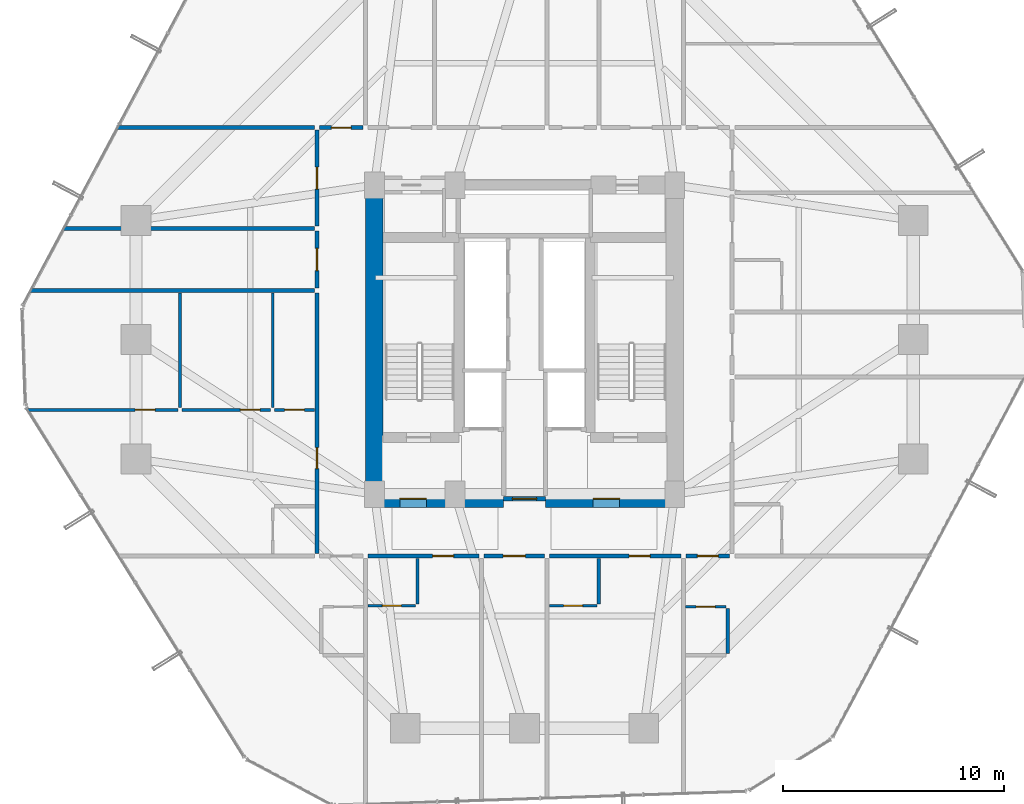
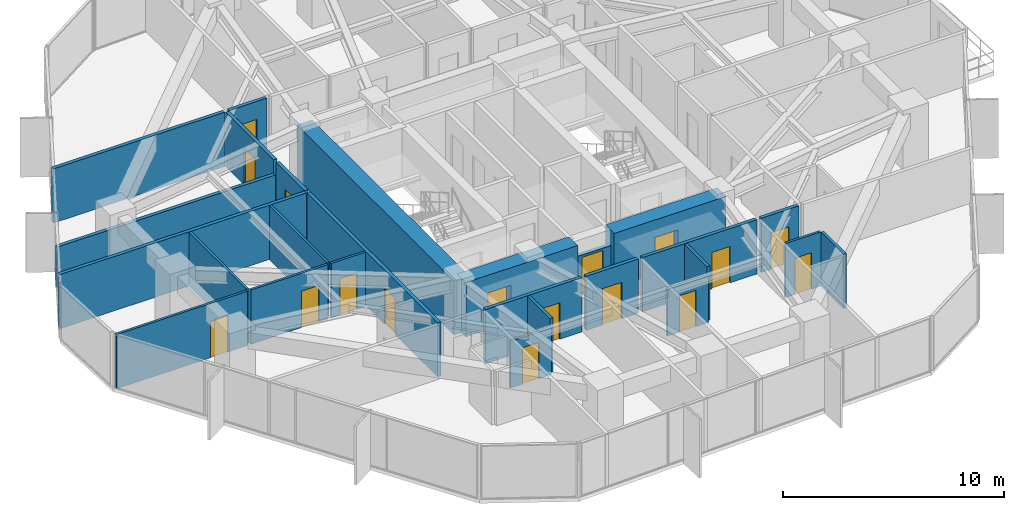
# One storey, part 35 of 39: 26 walls, 17 doors, 17 openings.
"""IFC4 building model written with IfcOpenShell, lengths in metres."""

from ifc_helpers import new_model, si_unit, direction, frame, frame_2d, origin, place, context, subcontext, project, spatial, rectangle, extrude, source, transform, mapped, material, layer, layer_set, type_object, element, fill, save


model = new_model("IFC4")

# Units and contexts
model_context = context("Model", 3, precision=1e-05, world=origin(), true_north=direction((0.0, 1.0)))
body_context = subcontext(model_context, "Body", "Model", "MODEL_VIEW")
ifc_project = project(units=[si_unit("LENGTHUNIT", "METRE"), si_unit("AREAUNIT", "SQUARE_METRE"), si_unit("VOLUMEUNIT", "CUBIC_METRE"), si_unit("PLANEANGLEUNIT", "RADIAN"), si_unit("MASSUNIT", "GRAM", prefix="KILO")], contexts=[model_context])

# Site, building, storey
site_placement = place(None, origin())
site = spatial("IfcSite", under=ifc_project, at=site_placement, CompositionType="ELEMENT")
building_placement = place(site_placement, origin())
building = spatial("IfcBuilding", under=site, at=building_placement, Name="Veraguas Prism Commons", CompositionType="ELEMENT")
storey_placement = place(building_placement, frame((0.0, 0.0, 30.550048828125)))
storey = spatial("IfcBuildingStorey", under=building, at=storey_placement, Name="L07", CompositionType="ELEMENT", Elevation=30.550048828125)

# Wall
ifc_material_1 = material(Name="Concrete C60/75", Category="concrete")
ifc_layer_1 = layer(ifc_material_1, 0.800048828125, Name="Core Outer Shear Wall Lower RC 800", Category="concrete")
ifc_layer_set_1 = layer_set([ifc_layer_1], Name="Concrete C60/75")
wall_type_1 = type_object("IfcWallType", Name="Core Outer Shear Wall Lower RC 800", PredefinedType="SHEAR", material=ifc_layer_set_1)
wall_1_placement = place(storey_placement, frame((17.199951171875, 16.800048828125, 0.0), z_axis=(0.0, 0.0, 1.0), x_axis=(0.0, 1.0, 0.0)))
element("IfcWall", 1, at=wall_1_placement, inside=storey, type_object=wall_type_1, Name="Central Core West Shear Wall L07", PredefinedType="SHEAR", context=body_context, shape_type="SweptSolid", body=[
    extrude(rectangle(XDim=14.199951171875, YDim=0.800048828125, at=frame_2d((7.10009765625, 0.0))), origin(), (0.0, 0.0, 1.0), 3.0),
])

# Wall, opening, door
wall_2_placement = place(storey_placement, frame((17.199951171875, 16.800048828125, 0.0), z_axis=(0.0, 0.0, 1.0), x_axis=(1.0, 0.0, 0.0)))
wall_2 = element("IfcWall", 2, at=wall_2_placement, inside=storey, type_object=wall_type_1, Name="Central Core South-West Shear Wall L07", PredefinedType="SHEAR", context=body_context, shape_type="SweptSolid", body=[
    extrude(rectangle(XDim=5.85009765625, YDim=0.800048828125, at=frame_2d((2.925048828125, 0.0))), origin(), (0.0, 0.0, 1.0), 3.0),
])
opening_1_placement = place(wall_2_placement, frame((1.14990234375, 0.0, 0.0)))
opening_1 = element("IfcOpeningElement", 3, at=opening_1_placement, cuts=wall_2, Name="Opening DR-06", PredefinedType="OPENING", context=body_context, shape_type="SweptSolid", body=[
    extrude(rectangle(XDim=1.199951171875, YDim=2.030029296875, at=frame_2d((0.60009765625, 1.01513671875))), frame((0.0, 0.409912109375, 0.0), z_axis=(0.0, -1.0, 0.0), x_axis=(1.0, 0.0, 0.0)), (0.0, 0.0, 1.0), 0.820068359375),
])
ifc_material_2 = material(Name="Steel fire-rated door assembly", Category="steel")
door_type_1 = type_object("IfcDoorType", Name="Firefighting Lobby Smoke Door 1200x2030", OperationType="NOTDEFINED", PredefinedType="DOOR", material=ifc_material_2)
shared_shape_1 = source(origin(), body_context, "Body", "SweptSolid", [
    extrude(rectangle(XDim=1.199951171875, YDim=2.030029296875, at=frame_2d((0.60009765625, 1.01513671875))), frame((0.0, 0.02490234375, 0.0), z_axis=(0.0, -1.0, 0.0), x_axis=(1.0, 0.0, 0.0)), (0.0, 0.0, 1.0), 0.050048828125),
])
door_1_placement = place(opening_1_placement, origin())
door_1 = element("IfcDoor", 4, at=door_1_placement, inside=storey, type_object=door_type_1, Name="West FF Lobby Door L07", OperationType="SINGLE_SWING_RIGHT", OverallHeight=2.030029296875, OverallWidth=1.199951171875, PredefinedType="DOOR", context=body_context, shape_type="MappedRepresentation", body=[
    mapped(shared_shape_1, transform((0.0, 0.0, 0.0), scale=1.0)),
])
fill(opening_1, door_1)

wall_3_placement = place(storey_placement, frame((24.949951171875, 16.800048828125, 0.0), z_axis=(0.0, 0.0, 1.0), x_axis=(1.0, 0.0, 0.0)))
wall_3 = element("IfcWall", 5, at=wall_3_placement, inside=storey, type_object=wall_type_1, Name="Central Core South-East Shear Wall L07", PredefinedType="SHEAR", context=body_context, shape_type="SweptSolid", body=[
    extrude(rectangle(XDim=5.85009765625, YDim=0.800048828125, at=frame_2d((2.925048828125, 0.0))), origin(), (0.0, 0.0, 1.0), 3.0),
])
opening_2_placement = place(wall_3_placement, frame((2.14990234375, 0.0, 0.0)))
opening_2 = element("IfcOpeningElement", 6, at=opening_2_placement, cuts=wall_3, Name="Opening DR-06", PredefinedType="OPENING", context=body_context, shape_type="SweptSolid", body=[
    extrude(rectangle(XDim=1.199951171875, YDim=2.030029296875, at=frame_2d((0.60009765625, 1.01513671875))), frame((0.0, 0.409912109375, 0.0), z_axis=(0.0, -1.0, 0.0), x_axis=(1.0, 0.0, 0.0)), (0.0, 0.0, 1.0), 0.820068359375),
])
door_2_placement = place(opening_2_placement, origin())
door_2 = element("IfcDoor", 7, at=door_2_placement, inside=storey, type_object=door_type_1, Name="East FF Lobby Door L07", OperationType="SINGLE_SWING_RIGHT", OverallHeight=2.030029296875, OverallWidth=1.199951171875, PredefinedType="DOOR", context=body_context, shape_type="MappedRepresentation", body=[
    mapped(shared_shape_1, transform((0.0, 0.0, 0.0), scale=1.0)),
])
fill(opening_2, door_2)

ifc_material_3 = material(Name="Autoclaved aerated masonry block 10 MPa", Category="masonry")
ifc_layer_2 = layer(ifc_material_3, 0.179931640625, Name="Corridor and Inter-Tenancy Partition 180", Category="masonry")
ifc_layer_set_2 = layer_set([ifc_layer_2], Name="Autoclaved aerated masonry block 10 MPa")
wall_type_2 = type_object("IfcWallType", Name="Corridor and Inter-Tenancy Partition 180", PredefinedType="PARTITIONING", material=ifc_layer_set_2)
wall_4_placement = place(storey_placement, frame((22.16796875, 14.199951171875, 0.0), z_axis=(0.0, 0.0, 1.0), x_axis=(1.0, 0.0, 0.0)))
wall_4 = element("IfcWall", 8, at=wall_4_placement, inside=storey, type_object=wall_type_2, Name="WL-L07-PT003", PredefinedType="PARTITIONING", context=body_context, shape_type="SweptSolid", body=[
    extrude(rectangle(XDim=2.72998046875, YDim=0.179931640625, at=frame_2d((1.364990234375, 0.0))), origin(), (0.0, 0.0, 1.0), 3.0),
])
opening_3_placement = place(wall_4_placement, frame((0.864990234375, 0.0, 0.0)))
opening_3 = element("IfcOpeningElement", 9, at=opening_3_placement, cuts=wall_4, Name="Opening DR-13", PredefinedType="OPENING", context=body_context, shape_type="SweptSolid", body=[
    extrude(rectangle(XDim=1.0, YDim=2.010009765625, at=frame_2d((0.5, 1.0048828125))), frame((0.0, 0.099853515625, 0.0), z_axis=(0.0, -1.0, 0.0), x_axis=(1.0, 0.0, 0.0)), (0.0, 0.0, 1.0), 0.199951171875),
])
door_type_2 = type_object("IfcDoorType", Name="Core Accessible WC and Clinic Fire Door 1000x2010", OperationType="NOTDEFINED", PredefinedType="DOOR", material=ifc_material_2)
shared_shape_2 = source(origin(), body_context, "Body", "SweptSolid", [
    extrude(rectangle(XDim=1.0, YDim=2.010009765625, at=frame_2d((0.5, 1.0048828125))), frame((0.0, 0.02490234375, 0.0), z_axis=(0.0, -1.0, 0.0), x_axis=(1.0, 0.0, 0.0)), (0.0, 0.0, 1.0), 0.050048828125),
])
door_3_placement = place(opening_3_placement, origin())
door_3 = element("IfcDoor", 10, at=door_3_placement, inside=storey, type_object=door_type_2, Name="Quiet Study S Door", OperationType="SINGLE_SWING_LEFT", OverallHeight=2.010009765625, OverallWidth=1.0, PredefinedType="DOOR", context=body_context, shape_type="MappedRepresentation", body=[
    mapped(shared_shape_2, transform((0.0, 0.0, 0.0), scale=1.0)),
])
fill(opening_3, door_3)

wall_5_placement = place(storey_placement, frame((16.909912109375, 14.199951171875, 0.0), z_axis=(0.0, 0.0, 1.0), x_axis=(1.0, 0.0, 0.0)))
wall_5 = element("IfcWall", 11, at=wall_5_placement, inside=storey, type_object=wall_type_2, Name="WL-L07-PT005", PredefinedType="PARTITIONING", context=body_context, shape_type="SweptSolid", body=[
    extrude(rectangle(XDim=5.0380859375, YDim=0.179931640625, at=frame_2d((2.51904296875, 0.0))), origin(), (0.0, 0.0, 1.0), 3.0),
])
opening_4_placement = place(wall_5_placement, frame((2.92919921875, 0.0, 0.0)))
opening_4 = element("IfcOpeningElement", 12, at=opening_4_placement, cuts=wall_5, Name="Opening DR-01", PredefinedType="OPENING", context=body_context, shape_type="SweptSolid", body=[
    extrude(rectangle(XDim=0.949951171875, YDim=2.02001953125, at=frame_2d((0.47509765625, 1.010009765625))), frame((0.0, 0.099853515625, 0.0), z_axis=(0.0, -1.0, 0.0), x_axis=(1.0, 0.0, 0.0)), (0.0, 0.0, 1.0), 0.199951171875),
])
ifc_material_4 = material(Name="Anodised aluminium EN AW-6063 T6", Category="aluminium")
door_type_3 = type_object("IfcDoorType", Name="Apartment Entrance Fire Door 950x2020", OperationType="NOTDEFINED", PredefinedType="DOOR", material=ifc_material_4)
shared_shape_3 = source(origin(), body_context, "Body", "SweptSolid", [
    extrude(rectangle(XDim=0.949951171875, YDim=2.02001953125, at=frame_2d((0.47509765625, 1.010009765625))), frame((0.0, 0.02490234375, 0.0), z_axis=(0.0, -1.0, 0.0), x_axis=(1.0, 0.0, 0.0)), (0.0, 0.0, 1.0), 0.050048828125),
])
door_4_placement = place(opening_4_placement, origin())
door_4 = element("IfcDoor", 13, at=door_4_placement, inside=storey, type_object=door_type_3, Name="Studio 07A Entrance Door", OperationType="SINGLE_SWING_RIGHT", OverallHeight=2.02001953125, OverallWidth=0.949951171875, PredefinedType="DOOR", context=body_context, shape_type="MappedRepresentation", body=[
    mapped(shared_shape_3, transform((0.0, 0.0, 0.0), scale=1.0)),
])
fill(opening_4, door_4)

wall_6_placement = place(storey_placement, frame((25.117919921875, 14.199951171875, 0.0), z_axis=(0.0, 0.0, 1.0), x_axis=(1.0, 0.0, 0.0)))
wall_6 = element("IfcWall", 14, at=wall_6_placement, inside=storey, type_object=wall_type_2, Name="WL-L07-PT009", PredefinedType="PARTITIONING", context=body_context, shape_type="SweptSolid", body=[
    extrude(rectangle(XDim=5.97216796875, YDim=0.179931640625, at=frame_2d((2.986083984375, 0.0))), origin(), (0.0, 0.0, 1.0), 3.0),
])
opening_5_placement = place(wall_6_placement, frame((3.620361328125, 0.0, 0.0)))
opening_5 = element("IfcOpeningElement", 15, at=opening_5_placement, cuts=wall_6, Name="Opening DR-01", PredefinedType="OPENING", context=body_context, shape_type="SweptSolid", body=[
    extrude(rectangle(XDim=0.949951171875, YDim=2.02001953125, at=frame_2d((0.47509765625, 1.010009765625))), frame((0.0, 0.099853515625, 0.0), z_axis=(0.0, -1.0, 0.0), x_axis=(1.0, 0.0, 0.0)), (0.0, 0.0, 1.0), 0.199951171875),
])
door_5_placement = place(opening_5_placement, origin())
door_5 = element("IfcDoor", 16, at=door_5_placement, inside=storey, type_object=door_type_3, Name="Studio 07B Entrance Door", OperationType="SINGLE_SWING_RIGHT", OverallHeight=2.02001953125, OverallWidth=0.949951171875, PredefinedType="DOOR", context=body_context, shape_type="MappedRepresentation", body=[
    mapped(shared_shape_3, transform((0.0, 0.0, 0.0), scale=1.0)),
])
fill(opening_5, door_5)

# Wall
wall_7_placement = place(storey_placement, frame((14.47998046875, 33.60009765625, 0.0), z_axis=(0.0, 0.0, 1.0), x_axis=(-1.0, 0.0, 0.0)))
element("IfcWall", 17, at=wall_7_placement, inside=storey, type_object=wall_type_2, Name="WL-L07-PT022", PredefinedType="PARTITIONING", context=body_context, shape_type="SweptSolid", body=[
    extrude(rectangle(XDim=8.94970703125, YDim=0.179931640625, at=frame_2d((4.474853515625, 0.0))), origin(), (0.0, 0.0, 1.0), 3.0),
])

# Wall, opening, door
wall_8_placement = place(storey_placement, frame((14.60009765625, 14.31005859375, 0.0), z_axis=(0.0, 0.0, 1.0), x_axis=(0.0, 1.0, 0.0)))
wall_8 = element("IfcWall", 18, at=wall_8_placement, inside=storey, type_object=wall_type_2, Name="WL-L07-PT023", PredefinedType="PARTITIONING", context=body_context, shape_type="SweptSolid", body=[
    extrude(rectangle(XDim=11.807861328125, YDim=0.179931640625, at=frame_2d((5.90380859375, 0.0))), origin(), (0.0, 0.0, 1.0), 3.0),
])
opening_6_placement = place(wall_8_placement, frame((3.847412109375, 0.0, 0.0)))
opening_6 = element("IfcOpeningElement", 19, at=opening_6_placement, cuts=wall_8, Name="Opening DR-01", PredefinedType="OPENING", context=body_context, shape_type="SweptSolid", body=[
    extrude(rectangle(XDim=0.949951171875, YDim=2.02001953125, at=frame_2d((0.47509765625, 1.010009765625))), frame((0.0, 0.099853515625, 0.0), z_axis=(0.0, -1.0, 0.0), x_axis=(1.0, 0.0, 0.0)), (0.0, 0.0, 1.0), 0.199951171875),
])
door_6_placement = place(opening_6_placement, origin())
door_6 = element("IfcDoor", 20, at=door_6_placement, inside=storey, type_object=door_type_3, Name="Flat 07C Entrance Door", OperationType="SINGLE_SWING_RIGHT", OverallHeight=2.02001953125, OverallWidth=0.949951171875, PredefinedType="DOOR", context=body_context, shape_type="MappedRepresentation", body=[
    mapped(shared_shape_3, transform((0.0, 0.0, 0.0), scale=1.0)),
])
fill(opening_6, door_6)

# Wall
wall_9_placement = place(storey_placement, frame((14.47998046875, 26.22802734375, 0.0), z_axis=(0.0, 0.0, 1.0), x_axis=(-1.0, 0.0, 0.0)))
element("IfcWall", 21, at=wall_9_placement, inside=storey, type_object=wall_type_2, Name="WL-L07-PT031", PredefinedType="PARTITIONING", context=body_context, shape_type="SweptSolid", body=[
    extrude(rectangle(XDim=12.8759765625, YDim=0.179931640625, at=frame_2d((6.43798828125, 0.0))), origin(), (0.0, 0.0, 1.0), 3.0),
])

# Wall, opening, door
wall_10_placement = place(storey_placement, frame((14.60009765625, 26.337890625, 0.0), z_axis=(0.0, 0.0, 1.0), x_axis=(0.0, 1.0, 0.0)))
wall_10 = element("IfcWall", 22, at=wall_10_placement, inside=storey, type_object=wall_type_2, Name="WL-L07-PT032", PredefinedType="PARTITIONING", context=body_context, shape_type="SweptSolid", body=[
    extrude(rectangle(XDim=2.5810546875, YDim=0.179931640625, at=frame_2d((1.29052734375, 0.0))), origin(), (0.0, 0.0, 1.0), 3.0),
])
opening_7_placement = place(wall_10_placement, frame((0.79052734375, 0.0, 0.0)))
opening_7 = element("IfcOpeningElement", 23, at=opening_7_placement, cuts=wall_10, Name="Opening DR-13", PredefinedType="OPENING", context=body_context, shape_type="SweptSolid", body=[
    extrude(rectangle(XDim=1.0, YDim=2.010009765625, at=frame_2d((0.5, 1.0048828125))), frame((0.0, 0.099853515625, 0.0), z_axis=(0.0, -1.0, 0.0), x_axis=(1.0, 0.0, 0.0)), (0.0, 0.0, 1.0), 0.199951171875),
])
door_7_placement = place(opening_7_placement, origin())
door_7 = element("IfcDoor", 24, at=door_7_placement, inside=storey, type_object=door_type_2, Name="Residents Study Room Door", OperationType="SINGLE_SWING_LEFT", OverallHeight=2.010009765625, OverallWidth=1.0, PredefinedType="DOOR", context=body_context, shape_type="MappedRepresentation", body=[
    mapped(shared_shape_2, transform((0.0, 0.0, 0.0), scale=1.0)),
])
fill(opening_7, door_7)

wall_11_placement = place(storey_placement, frame((14.60009765625, 29.138916015625, 0.0), z_axis=(0.0, 0.0, 1.0), x_axis=(0.0, 1.0, 0.0)))
wall_11 = element("IfcWall", 25, at=wall_11_placement, inside=storey, type_object=wall_type_2, Name="WL-L07-PT033", PredefinedType="PARTITIONING", context=body_context, shape_type="SweptSolid", body=[
    extrude(rectangle(XDim=4.35107421875, YDim=0.179931640625, at=frame_2d((2.175537109375, 0.0))), origin(), (0.0, 0.0, 1.0), 3.0),
])
opening_8_placement = place(wall_11_placement, frame((1.675537109375, 0.0, 0.0)))
opening_8 = element("IfcOpeningElement", 26, at=opening_8_placement, cuts=wall_11, Name="Opening DR-13", PredefinedType="OPENING", context=body_context, shape_type="SweptSolid", body=[
    extrude(rectangle(XDim=1.0, YDim=2.010009765625, at=frame_2d((0.5, 1.0048828125))), frame((0.0, 0.099853515625, 0.0), z_axis=(0.0, -1.0, 0.0), x_axis=(1.0, 0.0, 0.0)), (0.0, 0.0, 1.0), 0.199951171875),
])
door_8_placement = place(opening_8_placement, origin())
door_8 = element("IfcDoor", 27, at=door_8_placement, inside=storey, type_object=door_type_2, Name="Co-op Store W Door", OperationType="SINGLE_SWING_RIGHT", OverallHeight=2.010009765625, OverallWidth=1.0, PredefinedType="DOOR", context=body_context, shape_type="MappedRepresentation", body=[
    mapped(shared_shape_2, transform((0.0, 0.0, 0.0), scale=1.0)),
])
fill(opening_8, door_8)

# Wall
wall_12_placement = place(storey_placement, frame((14.47998046875, 29.029052734375, 0.0), z_axis=(0.0, 0.0, 1.0), x_axis=(-1.0, 0.0, 0.0)))
element("IfcWall", 28, at=wall_12_placement, inside=storey, type_object=wall_type_2, Name="WL-L07-PT034", PredefinedType="PARTITIONING", context=body_context, shape_type="SweptSolid", body=[
    extrude(rectangle(XDim=11.38427734375, YDim=0.179931640625, at=frame_2d((5.692138671875, 0.0))), origin(), (0.0, 0.0, 1.0), 2.299072265625),
])

# Wall, opening, door
wall_13_placement = place(storey_placement, frame((31.320068359375, 14.199951171875, 0.0), z_axis=(0.0, 0.0, 1.0), x_axis=(1.0, 0.0, 0.0)))
wall_13 = element("IfcWall", 29, at=wall_13_placement, inside=storey, type_object=wall_type_2, Name="WL-L07-PT052", PredefinedType="PARTITIONING", context=body_context, shape_type="SweptSolid", body=[
    extrude(rectangle(XDim=1.9599609375, YDim=0.179931640625, at=frame_2d((0.97998046875, 0.0))), origin(), (0.0, 0.0, 1.0), 3.0),
])
opening_9_placement = place(wall_13_placement, frame((0.5048828125, 0.0, 0.0)))
opening_9 = element("IfcOpeningElement", 30, at=opening_9_placement, cuts=wall_13, Name="Opening DR-01", PredefinedType="OPENING", context=body_context, shape_type="SweptSolid", body=[
    extrude(rectangle(XDim=0.949951171875, YDim=2.02001953125, at=frame_2d((0.47509765625, 1.010009765625))), frame((0.0, 0.099853515625, 0.0), z_axis=(0.0, -1.0, 0.0), x_axis=(1.0, 0.0, 0.0)), (0.0, 0.0, 1.0), 0.199951171875),
])
door_9_placement = place(opening_9_placement, origin())
door_9 = element("IfcDoor", 31, at=door_9_placement, inside=storey, type_object=door_type_3, Name="Studio 07G Entrance Door", OperationType="SINGLE_SWING_LEFT", OverallHeight=2.02001953125, OverallWidth=0.949951171875, PredefinedType="DOOR", context=body_context, shape_type="MappedRepresentation", body=[
    mapped(shared_shape_3, transform((0.0, 0.0, 0.0), scale=1.0)),
])
fill(opening_9, door_9)

wall_14_placement = place(storey_placement, frame((14.719970703125, 33.60009765625, 0.0), z_axis=(0.0, 0.0, 1.0), x_axis=(1.0, 0.0, 0.0)))
wall_14 = element("IfcWall", 32, at=wall_14_placement, inside=storey, type_object=wall_type_2, Name="WL-L07-PT056", PredefinedType="PARTITIONING", context=body_context, shape_type="SweptSolid", body=[
    extrude(rectangle(XDim=1.9599609375, YDim=0.179931640625, at=frame_2d((0.97998046875, 0.0))), origin(), (0.0, 0.0, 1.0), 3.0),
])
opening_10_placement = place(wall_14_placement, frame((0.530029296875, 0.0, 0.0)))
opening_10 = element("IfcOpeningElement", 33, at=opening_10_placement, cuts=wall_14, Name="Opening DR-14", PredefinedType="OPENING", context=body_context, shape_type="SweptSolid", body=[
    extrude(rectangle(XDim=0.89990234375, YDim=2.010009765625, at=frame_2d((0.449951171875, 1.0048828125))), frame((0.0, 0.099853515625, 0.0), z_axis=(0.0, -1.0, 0.0), x_axis=(1.0, 0.0, 0.0)), (0.0, 0.0, 1.0), 0.199951171875),
])
door_type_4 = type_object("IfcDoorType", Name="Core Service Room Fire Door 900x2010", OperationType="NOTDEFINED", PredefinedType="DOOR", material=ifc_material_2)
shared_shape_4 = source(origin(), body_context, "Body", "SweptSolid", [
    extrude(rectangle(XDim=0.89990234375, YDim=2.010009765625, at=frame_2d((0.449951171875, 1.0048828125))), frame((0.0, 0.02490234375, 0.0), z_axis=(0.0, -1.0, 0.0), x_axis=(1.0, 0.0, 0.0)), (0.0, 0.0, 1.0), 0.050048828125),
])
door_10_placement = place(opening_10_placement, origin())
door_10 = element("IfcDoor", 34, at=door_10_placement, inside=storey, type_object=door_type_4, Name="Residents Corner Study Room NW Door", OperationType="SINGLE_SWING_LEFT", OverallHeight=2.010009765625, OverallWidth=0.89990234375, PredefinedType="DOOR", context=body_context, shape_type="MappedRepresentation", body=[
    mapped(shared_shape_4, transform((0.0, 0.0, 0.0), scale=1.0)),
])
fill(opening_10, door_10)

ifc_material_5 = material(Name="Lightweight acoustic gypsum board")
ifc_layer_3 = layer(ifc_material_5, 0.125, Name="Internal Apartment Room Partition 125")
ifc_layer_set_3 = layer_set([ifc_layer_3], Name="Lightweight acoustic gypsum board")
wall_type_3 = type_object("IfcWallType", Name="Internal Apartment Room Partition 125", PredefinedType="PARTITIONING", material=ifc_layer_set_3)
wall_15_placement = place(storey_placement, frame((16.919921875, 11.949951171875, 0.0), z_axis=(0.0, 0.0, 1.0), x_axis=(1.0, 0.0, 0.0)))
wall_15 = element("IfcWall", 35, at=wall_15_placement, inside=storey, type_object=wall_type_3, Name="WL-L07-PT007", PredefinedType="PARTITIONING", context=body_context, shape_type="SweptSolid", body=[
    extrude(rectangle(XDim=2.150146484375, YDim=0.125, at=frame_2d((1.0751953125, 0.0))), origin(), (0.0, 0.0, 1.0), 2.579833984375),
])
opening_11_placement = place(wall_15_placement, frame((0.64501953125, 0.0, 0.0)))
opening_11 = element("IfcOpeningElement", 36, at=opening_11_placement, cuts=wall_15, Name="Opening DR-03", PredefinedType="OPENING", context=body_context, shape_type="SweptSolid", body=[
    extrude(rectangle(XDim=0.860107421875, YDim=2.010009765625, at=frame_2d((0.43017578125, 1.0048828125))), frame((0.0, 0.072509765625, 0.0), z_axis=(0.0, -1.0, 0.0), x_axis=(1.0, 0.0, 0.0)), (0.0, 0.0, 1.0), 0.14501953125),
])
ifc_material_6 = material(Name="Timber moisture-resistant leaf", Category="wood")
door_type_5 = type_object("IfcDoorType", Name="Internal Bathroom Door 860x2010", OperationType="NOTDEFINED", PredefinedType="DOOR", material=ifc_material_6)
shared_shape_5 = source(origin(), body_context, "Body", "SweptSolid", [
    extrude(rectangle(XDim=0.860107421875, YDim=2.010009765625, at=frame_2d((0.43017578125, 1.0048828125))), frame((0.0, 0.02490234375, 0.0), z_axis=(0.0, -1.0, 0.0), x_axis=(1.0, 0.0, 0.0)), (0.0, 0.0, 1.0), 0.050048828125),
])
door_11_placement = place(opening_11_placement, origin())
door_11 = element("IfcDoor", 37, at=door_11_placement, inside=storey, type_object=door_type_5, Name="Studio 07A Bathroom Door", OperationType="SINGLE_SWING_LEFT", OverallHeight=2.010009765625, OverallWidth=0.860107421875, PredefinedType="DOOR", context=body_context, shape_type="MappedRepresentation", body=[
    mapped(shared_shape_5, transform((0.0, 0.0, 0.0), scale=1.0)),
])
fill(opening_11, door_11)

wall_16_placement = place(storey_placement, frame((25.1279296875, 11.949951171875, 0.0), z_axis=(0.0, 0.0, 1.0), x_axis=(1.0, 0.0, 0.0)))
wall_16 = element("IfcWall", 38, at=wall_16_placement, inside=storey, type_object=wall_type_3, Name="WL-L07-PT011", PredefinedType="PARTITIONING", context=body_context, shape_type="SweptSolid", body=[
    extrude(rectangle(XDim=2.150146484375, YDim=0.125, at=frame_2d((1.0751953125, 0.0))), origin(), (0.0, 0.0, 1.0), 2.579833984375),
])
opening_12_placement = place(wall_16_placement, frame((0.64501953125, 0.0, 0.0)))
opening_12 = element("IfcOpeningElement", 39, at=opening_12_placement, cuts=wall_16, Name="Opening DR-03", PredefinedType="OPENING", context=body_context, shape_type="SweptSolid", body=[
    extrude(rectangle(XDim=0.860107421875, YDim=2.010009765625, at=frame_2d((0.43017578125, 1.0048828125))), frame((0.0, 0.072509765625, 0.0), z_axis=(0.0, -1.0, 0.0), x_axis=(1.0, 0.0, 0.0)), (0.0, 0.0, 1.0), 0.14501953125),
])
door_12_placement = place(opening_12_placement, origin())
door_12 = element("IfcDoor", 40, at=door_12_placement, inside=storey, type_object=door_type_5, Name="Studio 07B Bathroom Door", OperationType="SINGLE_SWING_LEFT", OverallHeight=2.010009765625, OverallWidth=0.860107421875, PredefinedType="DOOR", context=body_context, shape_type="MappedRepresentation", body=[
    mapped(shared_shape_5, transform((0.0, 0.0, 0.0), scale=1.0)),
])
fill(opening_12, door_12)

wall_17_placement = place(storey_placement, frame((14.47998046875, 20.81494140625, 0.0), z_axis=(0.0, 0.0, 1.0), x_axis=(-1.0, 0.0, 0.0)))
wall_17 = element("IfcWall", 41, at=wall_17_placement, inside=storey, type_object=wall_type_3, Name="WL-L07-PT026", PredefinedType="PARTITIONING", context=body_context, shape_type="SweptSolid", body=[
    extrude(rectangle(XDim=1.800048828125, YDim=0.125, at=frame_2d((0.89990234375, 0.0))), origin(), (0.0, 0.0, 1.0), 3.0),
])
opening_13_placement = place(wall_17_placement, frame((0.449951171875, 0.0, 0.0)))
opening_13 = element("IfcOpeningElement", 42, at=opening_13_placement, cuts=wall_17, Name="Opening DR-02", PredefinedType="OPENING", context=body_context, shape_type="SweptSolid", body=[
    extrude(rectangle(XDim=0.89990234375, YDim=2.010009765625, at=frame_2d((0.449951171875, 1.0048828125))), frame((0.0, 0.072509765625, 0.0), z_axis=(0.0, -1.0, 0.0), x_axis=(1.0, 0.0, 0.0)), (0.0, 0.0, 1.0), 0.14501953125),
])
ifc_material_7 = material(Name="Timber solid core hardwood", Category="wood")
door_type_6 = type_object("IfcDoorType", Name="Internal Habitable Room Door 900x2010", OperationType="NOTDEFINED", PredefinedType="DOOR", material=ifc_material_7)
door_13_placement = place(opening_13_placement, origin())
door_13 = element("IfcDoor", 43, at=door_13_placement, inside=storey, type_object=door_type_6, Name="Flat 07C Kitchen Door", OperationType="SINGLE_SWING_RIGHT", OverallHeight=2.010009765625, OverallWidth=0.89990234375, PredefinedType="DOOR", context=body_context, shape_type="MappedRepresentation", body=[
    mapped(shared_shape_4, transform((0.0, 0.0, 0.0), scale=1.0)),
])
fill(opening_13, door_13)

# Walls
for number, where, z_axis, x_axis, name in (
    (44, (12.60009765625, 20.9150390625, 0.0), (0.0, 0.0, 1.0), (0.0, 1.0, 0.0), "WL-L07-PT027"),
    (45, (8.39990234375, 20.9150390625, 0.0), (0.0, 0.0, 1.0), (0.0, 1.0, 0.0), "WL-L07-PT028"),
):
    element("IfcWall", number, at=place(storey_placement, frame(where, z_axis=z_axis, x_axis=x_axis)), inside=storey, type_object=wall_type_3, Name=name, PredefinedType="PARTITIONING", context=body_context, shape_type="SweptSolid", body=[
        extrude(rectangle(XDim=5.19287109375, YDim=0.125, at=frame_2d((2.596435546875, 0.0))), origin(), (0.0, 0.0, 1.0), 3.0),
    ])

# Wall, opening, door
wall_18_placement = place(storey_placement, frame((12.5, 20.81494140625, 0.0), z_axis=(0.0, 0.0, 1.0), x_axis=(-1.0, 0.0, 0.0)))
wall_18 = element("IfcWall", 46, at=wall_18_placement, inside=storey, type_object=wall_type_3, Name="WL-L07-PT029", PredefinedType="PARTITIONING", context=body_context, shape_type="SweptSolid", body=[
    extrude(rectangle(XDim=4.02001953125, YDim=0.125, at=frame_2d((2.010009765625, 0.0))), origin(), (0.0, 0.0, 1.0), 3.0),
])
opening_14_placement = place(wall_18_placement, frame((0.471923828125, 0.0, 0.0)))
opening_14 = element("IfcOpeningElement", 47, at=opening_14_placement, cuts=wall_18, Name="Opening DR-02", PredefinedType="OPENING", context=body_context, shape_type="SweptSolid", body=[
    extrude(rectangle(XDim=0.89990234375, YDim=2.010009765625, at=frame_2d((0.449951171875, 1.0048828125))), frame((0.0, 0.072509765625, 0.0), z_axis=(0.0, -1.0, 0.0), x_axis=(1.0, 0.0, 0.0)), (0.0, 0.0, 1.0), 0.14501953125),
])
door_14_placement = place(opening_14_placement, origin())
door_14 = element("IfcDoor", 48, at=door_14_placement, inside=storey, type_object=door_type_6, Name="Flat 07C Bedroom 1 Door", OperationType="SINGLE_SWING_LEFT", OverallHeight=2.010009765625, OverallWidth=0.89990234375, PredefinedType="DOOR", context=body_context, shape_type="MappedRepresentation", body=[
    mapped(shared_shape_4, transform((0.0, 0.0, 0.0), scale=1.0)),
])
fill(opening_14, door_14)

wall_19_placement = place(storey_placement, frame((8.300048828125, 20.81494140625, 0.0), z_axis=(0.0, 0.0, 1.0), x_axis=(-1.0, 0.0, 0.0)))
wall_19 = element("IfcWall", 49, at=wall_19_placement, inside=storey, type_object=wall_type_3, Name="WL-L07-PT030", PredefinedType="PARTITIONING", context=body_context, shape_type="SweptSolid", body=[
    extrude(rectangle(XDim=6.846435546875, YDim=0.125, at=frame_2d((3.42333984375, 0.0))), origin(), (0.0, 0.0, 1.0), 3.0),
])
opening_15_placement = place(wall_19_placement, frame((1.031982421875, 0.0, 0.0)))
opening_15 = element("IfcOpeningElement", 50, at=opening_15_placement, cuts=wall_19, Name="Opening DR-02", PredefinedType="OPENING", context=body_context, shape_type="SweptSolid", body=[
    extrude(rectangle(XDim=0.89990234375, YDim=2.010009765625, at=frame_2d((0.449951171875, 1.0048828125))), frame((0.0, 0.072509765625, 0.0), z_axis=(0.0, -1.0, 0.0), x_axis=(1.0, 0.0, 0.0)), (0.0, 0.0, 1.0), 0.14501953125),
])
door_15_placement = place(opening_15_placement, origin())
door_15 = element("IfcDoor", 51, at=door_15_placement, inside=storey, type_object=door_type_6, Name="Flat 07C Bedroom 2 Door", OperationType="SINGLE_SWING_RIGHT", OverallHeight=2.010009765625, OverallWidth=0.89990234375, PredefinedType="DOOR", context=body_context, shape_type="MappedRepresentation", body=[
    mapped(shared_shape_4, transform((0.0, 0.0, 0.0), scale=1.0)),
])
fill(opening_15, door_15)

wall_20_placement = place(storey_placement, frame((31.280029296875, 11.89990234375, 0.0), z_axis=(0.0, 0.0, 1.0), x_axis=(1.0, 0.0, 0.0)))
wall_20 = element("IfcWall", 52, at=wall_20_placement, inside=storey, type_object=wall_type_3, Name="WL-L07-PT053", PredefinedType="PARTITIONING", context=body_context, shape_type="SweptSolid", body=[
    extrude(rectangle(XDim=1.840087890625, YDim=0.125, at=frame_2d((0.919921875, 0.0))), origin(), (0.0, 0.0, 1.0), 3.0),
])
opening_16_placement = place(wall_20_placement, frame((0.489990234375, 0.0, 0.0)))
opening_16 = element("IfcOpeningElement", 53, at=opening_16_placement, cuts=wall_20, Name="Opening DR-03", PredefinedType="OPENING", context=body_context, shape_type="SweptSolid", body=[
    extrude(rectangle(XDim=0.860107421875, YDim=2.010009765625, at=frame_2d((0.43017578125, 1.0048828125))), frame((0.0, 0.072509765625, 0.0), z_axis=(0.0, -1.0, 0.0), x_axis=(1.0, 0.0, 0.0)), (0.0, 0.0, 1.0), 0.14501953125),
])
door_16_placement = place(opening_16_placement, origin())
door_16 = element("IfcDoor", 54, at=door_16_placement, inside=storey, type_object=door_type_5, Name="Studio 07G Bathroom Door", OperationType="SINGLE_SWING_RIGHT", OverallHeight=2.010009765625, OverallWidth=0.860107421875, PredefinedType="DOOR", context=body_context, shape_type="MappedRepresentation", body=[
    mapped(shared_shape_5, transform((0.0, 0.0, 0.0), scale=1.0)),
])
fill(opening_16, door_16)

ifc_layer_4 = layer(ifc_material_3, 0.199951171875, Name="Rated Shaft and Lobby Block Wall 200", Category="masonry")
ifc_layer_set_4 = layer_set([ifc_layer_4], Name="Autoclaved aerated masonry block 10 MPa")
wall_type_4 = type_object("IfcWallType", Name="Rated Shaft and Lobby Block Wall 200", PredefinedType="SOLIDWALL", material=ifc_layer_set_4)
wall_21_placement = place(storey_placement, frame((23.050048828125, 16.800048828125, 0.0), z_axis=(0.0, 0.0, 1.0), x_axis=(1.0, 0.0, 0.0)))
wall_21 = element("IfcWall", 55, at=wall_21_placement, inside=storey, type_object=wall_type_4, Name="Central Core Lobby Entrance Wall L07", PredefinedType="SOLIDWALL", context=body_context, shape_type="SweptSolid", body=[
    extrude(rectangle(XDim=1.89990234375, YDim=0.199951171875, at=frame_2d((0.949951171875, 0.0))), origin(), (0.0, 0.0, 1.0), 2.14990234375),
])
opening_17_placement = place(wall_21_placement, frame((0.39990234375, 0.0, 0.0)))
opening_17 = element("IfcOpeningElement", 56, at=opening_17_placement, cuts=wall_21, Name="Opening DR-05", PredefinedType="OPENING", context=body_context, shape_type="SweptSolid", body=[
    extrude(rectangle(XDim=1.10009765625, YDim=2.030029296875, at=frame_2d((0.550048828125, 1.01513671875))), frame((0.0, 0.10986328125, 0.0), z_axis=(0.0, -1.0, 0.0), x_axis=(1.0, 0.0, 0.0)), (0.0, 0.0, 1.0), 0.219970703125),
])
door_type_7 = type_object("IfcDoorType", Name="Protected Stair and Refuge Fire Door 1100x2030", OperationType="NOTDEFINED", PredefinedType="DOOR", material=ifc_material_2)
shared_shape_6 = source(origin(), body_context, "Body", "SweptSolid", [
    extrude(rectangle(XDim=1.10009765625, YDim=2.030029296875, at=frame_2d((0.550048828125, 1.01513671875))), frame((0.0, 0.02490234375, 0.0), z_axis=(0.0, -1.0, 0.0), x_axis=(1.0, 0.0, 0.0)), (0.0, 0.0, 1.0), 0.050048828125),
])
door_17_placement = place(opening_17_placement, origin())
door_17 = element("IfcDoor", 57, at=door_17_placement, inside=storey, type_object=door_type_7, Name="Central Lobby Door L07", OperationType="SINGLE_SWING_LEFT", OverallHeight=2.030029296875, OverallWidth=1.10009765625, PredefinedType="DOOR", context=body_context, shape_type="MappedRepresentation", body=[
    mapped(shared_shape_6, transform((0.0, 0.0, 0.0), scale=1.0)),
])
fill(opening_17, door_17)

# Walls
ifc_layer_5 = layer(ifc_material_5, 0.14990234375, Name="Wet Room and Clinic Acoustic Partition 150")
ifc_layer_set_5 = layer_set([ifc_layer_5], Name="Lightweight acoustic gypsum board")
wall_type_5 = type_object("IfcWallType", Name="Wet Room and Clinic Acoustic Partition 150", PredefinedType="PARTITIONING", material=ifc_layer_set_5)
for number, where, z_axis, x_axis, name in (
    (58, (19.14990234375, 14.080078125, 0.0), (0.0, 0.0, 1.0), (0.0, -1.0, 0.0), "WL-L07-PT006"),
    (59, (27.35791015625, 14.080078125, 0.0), (0.0, 0.0, 1.0), (0.0, -1.0, 0.0), "WL-L07-PT010"),
):
    element("IfcWall", number, at=place(storey_placement, frame(where, z_axis=z_axis, x_axis=x_axis)), inside=storey, type_object=wall_type_5, Name=name, PredefinedType="PARTITIONING", context=body_context, shape_type="SweptSolid", body=[
        extrude(rectangle(XDim=2.050048828125, YDim=0.14990234375, at=frame_2d((1.02490234375, 0.0))), origin(), (0.0, 0.0, 1.0), 3.0),
    ])
wall_22_placement = place(storey_placement, frame((33.199951171875, 9.780029296875, 0.0), z_axis=(0.0, 0.0, 1.0), x_axis=(0.0, 1.0, 0.0)))
element("IfcWall", 60, at=wall_22_placement, inside=storey, type_object=wall_type_5, Name="WL-L07-PT055", PredefinedType="PARTITIONING", context=body_context, shape_type="SweptSolid", body=[
    extrude(rectangle(XDim=2.0400390625, YDim=0.14990234375, at=frame_2d((1.02001953125, 0.0))), origin(), (0.0, 0.0, 1.0), 3.0),
])

save(model, "model.ifc")
